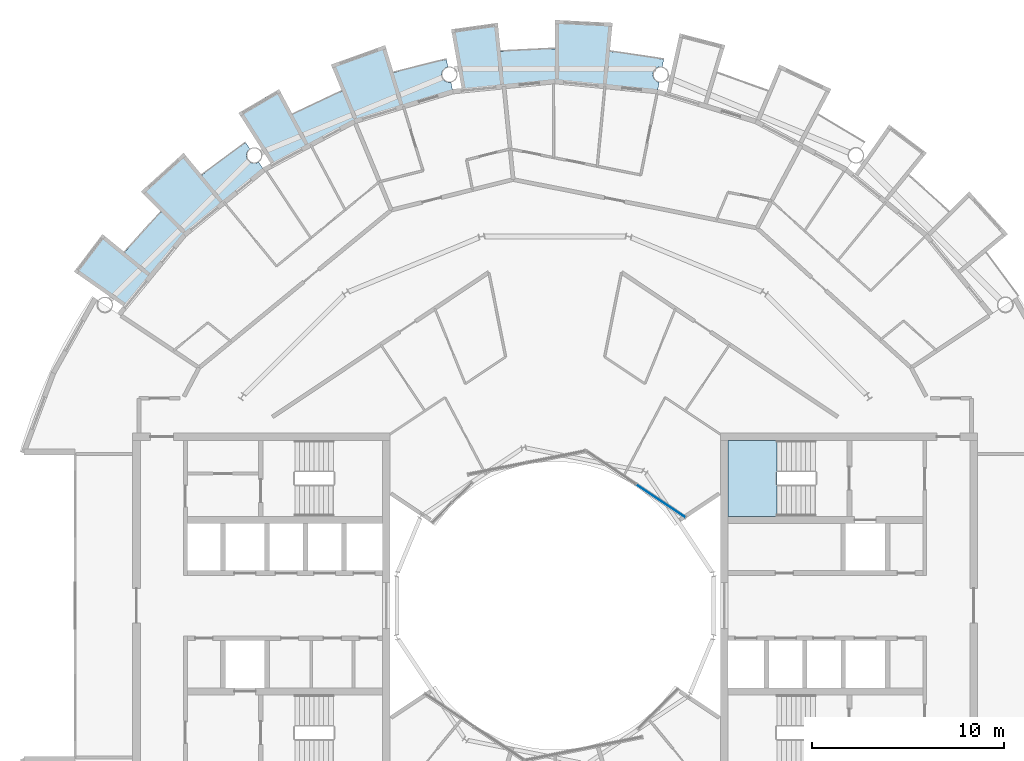
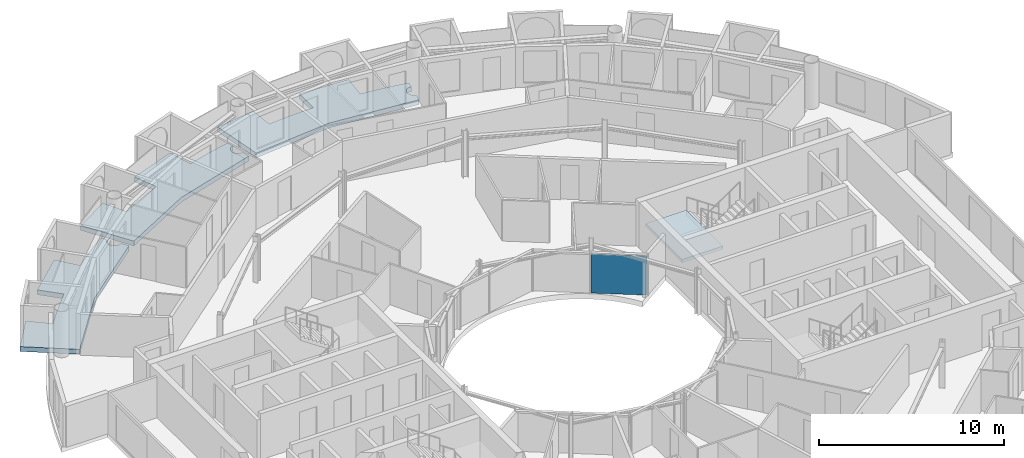
# One storey, part 13 of 28: 4 slabs, 1 plate, 2 elements without a shape of their own.
"""IFC4 building model written with IfcOpenShell, lengths in metres."""

from ifc_helpers import new_model, si_unit, direction, frame, origin, origin_2d, place, context, subcontext, project, spatial, polyline, rectangle, outline, extrude, material, layer, layer_set, type_object, element, aggregate, save


model = new_model("IFC4")

# Units and contexts
model_context = context("Model", 3, precision=1e-05, world=origin(), true_north=direction((0.0, 1.0)))
body_context = subcontext(model_context, "Body", "Model", "MODEL_VIEW")
ifc_project = project(units=[si_unit("LENGTHUNIT", "METRE"), si_unit("AREAUNIT", "SQUARE_METRE"), si_unit("VOLUMEUNIT", "CUBIC_METRE"), si_unit("PLANEANGLEUNIT", "RADIAN"), si_unit("MASSUNIT", "GRAM", prefix="KILO")], contexts=[model_context])

# Site, building, storey
site_placement = place(None, origin())
site = spatial("IfcSite", under=ifc_project, at=site_placement, CompositionType="ELEMENT")
building_placement = place(site_placement, origin())
building = spatial("IfcBuilding", under=site, at=building_placement, Name="Maasbend Ring Residences", CompositionType="ELEMENT")
storey_placement = place(building_placement, frame((0.0, 0.0, 227.949951171875)))
storey = spatial("IfcBuildingStorey", under=building, at=storey_placement, Name="L65", CompositionType="ELEMENT", Elevation=227.949951171875)

# Stair, slab
ifc_material_1 = material(Name="Concrete C40/50", Category="concrete")
stair_type = type_object("IfcStairType", Name="CORE STAIR 18 RISERS", PredefinedType="HALF_TURN_STAIR", material=ifc_material_1)
stair_placement = place(storey_placement, origin())
stair = element("IfcStair", 1, at=stair_placement, inside=storey, type_object=stair_type, Name="L65 Exit stair ST-E1", PredefinedType="HALF_TURN_STAIR")
ifc_material_2 = material(Name="Concrete C40/50", Category="concrete")
ifc_layer_1 = layer(ifc_material_2, 0.199951171875)
ifc_layer_set_1 = layer_set([ifc_layer_1], Name="Concrete C40/50")
slab_type_1 = type_object("IfcSlabType", Name="CORE STAIR LANDING 200", PredefinedType="LANDING", material=ifc_layer_set_1)
slab_1_placement = place(storey_placement, frame((0.0, 0.0, 1.324951171875)))
slab_1 = element("IfcSlab", 2, at=slab_1_placement, type_object=slab_type_1, Name="ST-E1 landing 1", PredefinedType="LANDING", context=body_context, shape_type="SweptSolid", body=[
    extrude(outline(polyline([(11.550048828125, 8.60009765625), (9.0, 8.60009765625), (9.0, 4.64990234375), (11.550048828125, 4.64990234375), (11.550048828125, 8.60009765625)])), origin(), (0.0, 0.0, 1.0), 0.2001953125),
])
aggregate(stair, [slab_1])

# Curtain wall, plate
ifc_material_3 = material(Name="Aluminium and clear glass", Category="aluminium")
ifc_layer_2 = layer(ifc_material_3, 0.179931640625)
ifc_layer_set_2 = layer_set([ifc_layer_2], Name="CW-W")
curtain_wall_type = type_object("IfcCurtainWallType", Name="CW-W", PredefinedType="NOTDEFINED", material=ifc_layer_set_2)
curtain_wall_placement = place(storey_placement, origin())
curtain_wall = element("IfcCurtainWall", 3, at=curtain_wall_placement, inside=storey, type_object=curtain_wall_type, Name="Well curtain wall N1", PredefinedType="NOTDEFINED")
ifc_material_4 = material(Name="Glass clear laminated", Category="glass")
ifc_layer_3 = layer(ifc_material_4, 0.031982421875)
ifc_layer_set_3 = layer_set([ifc_layer_3], Name="CWP-W")
plate_type = type_object("IfcPlateType", Name="CWP-W", PredefinedType="CURTAIN_PANEL", material=ifc_layer_set_3)
plate_placement = place(storey_placement, frame((5.51123046875, 5.44580078125, 0.0), z_axis=(0.0, 0.0, 1.0), x_axis=(-0.831469612303, 0.55557023302, 0.0)))
plate = element("IfcPlate", 4, at=plate_placement, type_object=plate_type, Name="Glass panel well face", PredefinedType="CURTAIN_PANEL", context=body_context, shape_type="SweptSolid", body=[
    extrude(rectangle(XDim=3.053955078125, YDim=0.031982421875, at=origin_2d()), origin(), (0.0, 0.0, 1.0), 2.580078125),
])
aggregate(curtain_wall, [plate])

# Slabs
ifc_material_5 = material(Name="Concrete C40/50", Category="concrete")
ifc_layer_4 = layer(ifc_material_5, 0.199951171875)
ifc_layer_set_4 = layer_set([ifc_layer_4], Name="Concrete C40/50")
slab_type_2 = type_object("IfcSlabType", Name="SL-LOGGIA", PredefinedType="FLOOR", material=ifc_layer_set_4)
slab_2_placement = place(storey_placement, frame((0.0, 0.0, -0.349853515625)))
element("IfcSlab", 5, at=slab_2_placement, inside=storey, type_object=slab_type_2, Name="Loggia floor 2", PredefinedType="FLOOR", context=body_context, shape_type="SweptSolid", body=[
    extrude(outline(polyline([(-13.6708984375, 25.575927734375), (-13.6708984375, 25.575927734375), (-13.6708984375, 25.575927734375), (-13.6708984375, 25.575927734375), (-13.6708984375, 25.575927734375), (-13.6708984375, 25.575927734375), (-13.6708984375, 25.575927734375), (-13.669921875, 25.575927734375), (-13.669921875, 25.575927734375), (-13.669921875, 25.575927734375), (-13.669921875, 25.575927734375), (-13.669921875, 25.575927734375), (-13.669921875, 25.575927734375), (-13.669921875, 25.575927734375), (-13.669921875, 25.575927734375), (-13.669921875, 25.575927734375), (-13.669921875, 25.575927734375), (-12.825927734375, 26.009033203125), (-12.825927734375, 26.009033203125), (-11.968994140625, 26.4150390625), (-11.968994140625, 26.4150390625), (-11.097900390625, 26.7919921875), (-11.097900390625, 26.7919921875), (-11.097900390625, 26.7919921875), (-11.097900390625, 26.7919921875), (-11.097900390625, 26.7919921875), (-11.097900390625, 26.7919921875), (-11.097900390625, 26.7919921875), (-11.097900390625, 26.79296875), (-11.097900390625, 26.79296875), (-11.097900390625, 26.79296875), (-11.097900390625, 26.79296875), (-11.097900390625, 26.79296875), (-11.097900390625, 26.79296875), (-11.097900390625, 26.79296875), (-11.097900390625, 26.79296875), (-11.097900390625, 26.79296875), (-11.097900390625, 26.79296875), (-11.672119140625, 28.177978515625), (-11.672119140625, 28.177978515625), (-11.672119140625, 28.177978515625), (-8.85400390625, 29.18701171875), (-8.85400390625, 29.18701171875), (-8.85400390625, 29.18701171875), (-8.41796875, 27.751953125), (-8.41796875, 27.751953125), (-8.41796875, 27.751953125), (-8.41796875, 27.751953125), (-8.41796875, 27.751953125), (-8.41796875, 27.751953125), (-8.41796875, 27.751953125), (-8.41796875, 27.7509765625), (-8.41796875, 27.7509765625), (-8.41796875, 27.7509765625), (-8.41796875, 27.7509765625), (-8.41796875, 27.7509765625), (-8.41796875, 27.7509765625), (-8.41796875, 27.7509765625), (-8.41796875, 27.7509765625), (-8.41796875, 27.7509765625), (-8.41796875, 27.7509765625), (-7.506103515625, 28.011962890625), (-7.506103515625, 28.011962890625), (-6.5849609375, 28.241943359375), (-6.5849609375, 28.241943359375), (-5.657958984375, 28.443115234375), (-5.657958984375, 28.443115234375), (-5.657958984375, 28.443115234375), (-5.5810546875, 28.056884765625), (-5.591064453125, 28.054931640625), (-5.60009765625, 28.052001953125), (-5.610107421875, 28.050048828125), (-5.6201171875, 28.047119140625), (-5.62890625, 28.0439453125), (-5.637939453125, 28.041015625), (-5.64794921875, 28.037109375), (-5.656982421875, 28.033935546875), (-5.666015625, 28.030029296875), (-5.675048828125, 28.02587890625), (-5.68408203125, 28.02099609375), (-5.693115234375, 28.01708984375), (-5.701904296875, 28.011962890625), (-5.7099609375, 28.007080078125), (-5.718994140625, 28.001953125), (-5.72705078125, 27.99609375), (-5.736083984375, 27.989990234375), (-5.743896484375, 27.985107421875), (-5.751953125, 27.97900390625), (-5.759033203125, 27.971923828125), (-5.76708984375, 27.966064453125), (-5.77392578125, 27.958984375), (-5.781982421875, 27.952880859375), (-5.7890625, 27.946044921875), (-5.7958984375, 27.93798828125), (-5.802978515625, 27.930908203125), (-5.80908203125, 27.924072265625), (-5.81591796875, 27.916015625), (-5.822021484375, 27.907958984375), (-5.827880859375, 27.89990234375), (-5.833984375, 27.89208984375), (-5.839111328125, 27.884033203125), (-5.844970703125, 27.8759765625), (-5.85009765625, 27.866943359375), (-5.85498046875, 27.85791015625), (-5.860107421875, 27.85009765625), (-5.864990234375, 27.841064453125), (-5.868896484375, 27.83203125), (-5.873046875, 27.822998046875), (-5.876953125, 27.81396484375), (-5.881103515625, 27.803955078125), (-5.884033203125, 27.794921875), (-5.886962890625, 27.785888671875), (-5.889892578125, 27.77587890625), (-5.89306640625, 27.76708984375), (-5.89599609375, 27.757080078125), (-5.89794921875, 27.7470703125), (-5.89990234375, 27.737060546875), (-5.902099609375, 27.72802734375), (-5.904052734375, 27.718017578125), (-5.905029296875, 27.7080078125), (-5.906005859375, 27.697998046875), (-5.906982421875, 27.68798828125), (-5.907958984375, 27.677978515625), (-5.907958984375, 27.66796875), (-5.907958984375, 27.657958984375), (-5.907958984375, 27.64794921875), (-5.907958984375, 27.637939453125), (-5.906982421875, 27.6279296875), (-5.906005859375, 27.617919921875), (-5.905029296875, 27.60791015625), (-5.904052734375, 27.597900390625), (-5.902099609375, 27.589111328125), (-5.89990234375, 27.5791015625), (-5.89794921875, 27.569091796875), (-5.89599609375, 27.55908203125), (-5.89306640625, 27.550048828125), (-5.889892578125, 27.5400390625), (-5.886962890625, 27.531005859375), (-5.884033203125, 27.52099609375), (-5.881103515625, 27.511962890625), (-5.876953125, 27.5029296875), (-5.873046875, 27.492919921875), (-5.868896484375, 27.48388671875), (-5.864990234375, 27.47509765625), (-5.860107421875, 27.466064453125), (-5.85498046875, 27.4580078125), (-5.85009765625, 27.448974609375), (-5.844970703125, 27.44091796875), (-5.839111328125, 27.431884765625), (-5.833984375, 27.424072265625), (-5.827880859375, 27.416015625), (-5.822021484375, 27.407958984375), (-5.81591796875, 27.39990234375), (-5.80908203125, 27.39306640625), (-5.802978515625, 27.385009765625), (-5.7958984375, 27.3779296875), (-5.7890625, 27.37109375), (-5.781982421875, 27.364013671875), (-5.77392578125, 27.35693359375), (-5.76708984375, 27.35009765625), (-5.759033203125, 27.343994140625), (-5.751953125, 27.337890625), (-5.743896484375, 27.33203125), (-5.736083984375, 27.325927734375), (-5.72705078125, 27.320068359375), (-5.718994140625, 27.31494140625), (-5.7099609375, 27.30908203125), (-5.701904296875, 27.303955078125), (-5.693115234375, 27.300048828125), (-5.68408203125, 27.294921875), (-5.675048828125, 27.291015625), (-5.666015625, 27.285888671875), (-5.656982421875, 27.282958984375), (-5.64794921875, 27.279052734375), (-5.637939453125, 27.27490234375), (-5.62890625, 27.27197265625), (-5.6201171875, 27.26904296875), (-5.610107421875, 27.26611328125), (-5.60009765625, 27.263916015625), (-5.591064453125, 27.260986328125), (-5.5810546875, 27.259033203125), (-5.571044921875, 27.258056640625), (-5.56103515625, 27.256103515625), (-5.551025390625, 27.2548828125), (-5.541015625, 27.25390625), (-5.531005859375, 27.2529296875), (-5.52099609375, 27.251953125), (-5.510986328125, 27.251953125), (-5.501953125, 27.251953125), (-5.491943359375, 27.251953125), (-5.48193359375, 27.251953125), (-5.471923828125, 27.2529296875), (-5.4619140625, 27.25390625), (-5.451904296875, 27.2548828125), (-5.44189453125, 27.256103515625), (-5.431884765625, 27.258056640625), (-5.422119140625, 27.259033203125), (-5.325927734375, 26.77490234375), (-5.325927734375, 26.77490234375), (-5.325927734375, 26.77490234375), (-7.886962890625, 25.9990234375), (-10.447021484375, 25.221923828125), (-10.447021484375, 25.221923828125), (-10.447021484375, 25.221923828125), (-12.806884765625, 23.9609375), (-14.73291015625, 22.930908203125), (-14.73291015625, 22.930908203125), (-14.73291015625, 22.930908203125), (-16.487060546875, 25.659912109375), (-16.487060546875, 25.659912109375), (-16.487060546875, 25.659912109375), (-14.3779296875, 26.89892578125), (-14.3779296875, 26.89892578125), (-14.3779296875, 26.89892578125), (-13.6708984375, 25.575927734375)])), origin(), (0.0, 0.0, 1.0), 0.31982421875),
])
slab_3_placement = place(storey_placement, frame((0.0, 0.0, -0.349853515625)))
element("IfcSlab", 6, at=slab_3_placement, inside=storey, type_object=slab_type_2, Name="Loggia floor 3", PredefinedType="FLOOR", context=body_context, shape_type="SweptSolid", body=[
    extrude(outline(polyline([(-2.843017578125, 28.861083984375), (-2.843017578125, 28.861083984375), (-2.843017578125, 28.861083984375), (-2.843017578125, 28.861083984375), (-2.842041015625, 28.861083984375), (-2.842041015625, 28.861083984375), (-2.842041015625, 28.861083984375), (-2.842041015625, 28.861083984375), (-2.842041015625, 28.861083984375), (-2.842041015625, 28.860107421875), (-2.842041015625, 28.860107421875), (-2.842041015625, 28.860107421875), (-2.842041015625, 28.860107421875), (-2.842041015625, 28.860107421875), (-2.842041015625, 28.860107421875), (-2.842041015625, 28.860107421875), (-2.842041015625, 28.860107421875), (-1.89697265625, 28.93798828125), (-1.89697265625, 28.93798828125), (-0.948974609375, 28.98388671875), (-0.948974609375, 28.98388671875), (0.0, 29.0), (0.0, 29.0), (0.0, 29.0), (0.0, 29.0), (0.0, 29.0), (0.0, 29.0), (0.0, 29.0), (0.0, 29.0), (0.0, 29.0), (0.0, 29.0), (0.0, 29.0), (0.0, 29.0), (0.0, 29.0), (0.0, 29.0), (0.0, 29.0), (0.0, 29.0), (0.0, 29.0), (0.0, 30.5), (0.0, 30.5), (0.0, 30.5), (2.989990234375, 30.35302734375), (2.989990234375, 30.35302734375), (2.989990234375, 30.35302734375), (2.843017578125, 28.861083984375), (2.843017578125, 28.861083984375), (2.843017578125, 28.861083984375), (2.843017578125, 28.861083984375), (2.843017578125, 28.861083984375), (2.843017578125, 28.861083984375), (2.843017578125, 28.861083984375), (2.843017578125, 28.861083984375), (2.843017578125, 28.860107421875), (2.843017578125, 28.860107421875), (2.843017578125, 28.860107421875), (2.843017578125, 28.860107421875), (2.843017578125, 28.860107421875), (2.843017578125, 28.860107421875), (2.843017578125, 28.860107421875), (2.843017578125, 28.860107421875), (2.843017578125, 28.860107421875), (3.784912109375, 28.751953125), (3.784912109375, 28.751953125), (4.72412109375, 28.613037109375), (4.72412109375, 28.613037109375), (5.657958984375, 28.443115234375), (5.657958984375, 28.443115234375), (5.657958984375, 28.443115234375), (5.5810546875, 28.056884765625), (5.5810546875, 28.056884765625), (5.571044921875, 28.05908203125), (5.56103515625, 28.06005859375), (5.551025390625, 28.06201171875), (5.541015625, 28.06298828125), (5.531005859375, 28.06298828125), (5.52099609375, 28.06396484375), (5.510986328125, 28.06396484375), (5.501953125, 28.06494140625), (5.491943359375, 28.06396484375), (5.48193359375, 28.06396484375), (5.471923828125, 28.06298828125), (5.4619140625, 28.06298828125), (5.451904296875, 28.06201171875), (5.44189453125, 28.06005859375), (5.431884765625, 28.05908203125), (5.422119140625, 28.056884765625), (5.412109375, 28.054931640625), (5.403076171875, 28.052001953125), (5.39306640625, 28.050048828125), (5.383056640625, 28.047119140625), (5.3740234375, 28.0439453125), (5.364990234375, 28.041015625), (5.35498046875, 28.037109375), (5.345947265625, 28.033935546875), (5.3369140625, 28.030029296875), (5.327880859375, 28.02587890625), (5.319091796875, 28.02099609375), (5.31005859375, 28.01708984375), (5.301025390625, 28.011962890625), (5.29296875, 28.007080078125), (5.283935546875, 28.001953125), (5.27587890625, 27.99609375), (5.26708984375, 27.989990234375), (5.259033203125, 27.985107421875), (5.2509765625, 27.97900390625), (5.243896484375, 27.971923828125), (5.236083984375, 27.966064453125), (5.22900390625, 27.958984375), (5.220947265625, 27.952880859375), (5.214111328125, 27.946044921875), (5.20703125, 27.93798828125), (5.199951171875, 27.930908203125), (5.194091796875, 27.924072265625), (5.18701171875, 27.916015625), (5.180908203125, 27.907958984375), (5.175048828125, 27.89990234375), (5.1689453125, 27.89208984375), (5.1640625, 27.884033203125), (5.157958984375, 27.8759765625), (5.153076171875, 27.866943359375), (5.14794921875, 27.85791015625), (5.14306640625, 27.85009765625), (5.137939453125, 27.841064453125), (5.134033203125, 27.83203125), (5.1298828125, 27.822998046875), (5.1259765625, 27.81396484375), (5.1220703125, 27.803955078125), (5.118896484375, 27.794921875), (5.115966796875, 27.785888671875), (5.113037109375, 27.77587890625), (5.110107421875, 27.76708984375), (5.10693359375, 27.757080078125), (5.10498046875, 27.7470703125), (5.10302734375, 27.737060546875), (5.10107421875, 27.72802734375), (5.09912109375, 27.718017578125), (5.097900390625, 27.7080078125), (5.096923828125, 27.697998046875), (5.095947265625, 27.68798828125), (5.094970703125, 27.677978515625), (5.094970703125, 27.66796875), (5.094970703125, 27.657958984375), (5.094970703125, 27.64794921875), (5.094970703125, 27.637939453125), (5.095947265625, 27.6279296875), (5.096923828125, 27.617919921875), (5.097900390625, 27.60791015625), (5.09912109375, 27.597900390625), (5.10107421875, 27.589111328125), (5.10302734375, 27.5791015625), (5.10498046875, 27.569091796875), (5.10693359375, 27.55908203125), (5.110107421875, 27.550048828125), (5.113037109375, 27.5400390625), (5.115966796875, 27.531005859375), (5.118896484375, 27.52099609375), (5.1220703125, 27.511962890625), (5.1259765625, 27.5029296875), (5.1298828125, 27.492919921875), (5.134033203125, 27.48388671875), (5.137939453125, 27.47509765625), (5.14306640625, 27.466064453125), (5.14794921875, 27.4580078125), (5.153076171875, 27.448974609375), (5.157958984375, 27.44091796875), (5.1640625, 27.431884765625), (5.1689453125, 27.424072265625), (5.175048828125, 27.416015625), (5.180908203125, 27.407958984375), (5.18701171875, 27.39990234375), (5.194091796875, 27.39306640625), (5.199951171875, 27.385009765625), (5.20703125, 27.3779296875), (5.214111328125, 27.37109375), (5.220947265625, 27.364013671875), (5.22900390625, 27.35693359375), (5.236083984375, 27.35009765625), (5.243896484375, 27.343994140625), (5.2509765625, 27.337890625), (5.259033203125, 27.33203125), (5.26708984375, 27.325927734375), (5.27587890625, 27.320068359375), (5.283935546875, 27.31494140625), (5.29296875, 27.30908203125), (5.301025390625, 27.303955078125), (5.31005859375, 27.300048828125), (5.319091796875, 27.294921875), (5.327880859375, 27.291015625), (5.3369140625, 27.285888671875), (5.345947265625, 27.282958984375), (5.35498046875, 27.279052734375), (5.364990234375, 27.27490234375), (5.3740234375, 27.27197265625), (5.383056640625, 27.26904296875), (5.39306640625, 27.26611328125), (5.403076171875, 27.263916015625), (5.412109375, 27.260986328125), (5.422119140625, 27.259033203125), (5.422119140625, 27.259033203125), (5.325927734375, 26.77490234375), (5.325927734375, 26.77490234375), (5.325927734375, 26.77490234375), (2.6630859375, 27.0380859375), (0.0, 27.300048828125), (0.0, 27.300048828125), (0.0, 27.300048828125), (-2.6630859375, 27.0380859375), (-4.8359375, 26.823974609375), (-4.8359375, 26.823974609375), (-4.8359375, 26.823974609375), (-5.412109375, 30.01611328125), (-5.412109375, 30.01611328125), (-5.412109375, 30.01611328125), (-2.989990234375, 30.35302734375), (-2.989990234375, 30.35302734375), (-2.989990234375, 30.35302734375), (-2.843017578125, 28.861083984375)])), origin(), (0.0, 0.0, 1.0), 0.31982421875),
])
slab_4_placement = place(storey_placement, frame((0.0, 0.0, -0.349853515625)))
element("IfcSlab", 7, at=slab_4_placement, inside=storey, type_object=slab_type_2, Name="Loggia floor 5", PredefinedType="FLOOR", context=body_context, shape_type="SweptSolid", body=[
    extrude(outline(polyline([(-22.41796875, 18.39794921875), (-22.41796875, 18.39794921875), (-22.41796875, 18.39794921875), (-22.41796875, 18.39794921875), (-22.41796875, 18.39794921875), (-22.4169921875, 18.39794921875), (-22.4169921875, 18.39794921875), (-22.4169921875, 18.39794921875), (-22.4169921875, 18.39794921875), (-22.4169921875, 18.39794921875), (-22.4169921875, 18.39794921875), (-22.4169921875, 18.39794921875), (-22.4169921875, 18.39794921875), (-22.4169921875, 18.39794921875), (-22.4169921875, 18.39794921875), (-22.4169921875, 18.39794921875), (-22.4169921875, 18.39794921875), (-21.802978515625, 19.12109375), (-21.802978515625, 19.12109375), (-21.166015625, 19.823974609375), (-21.166015625, 19.823974609375), (-20.506103515625, 20.506103515625), (-20.506103515625, 20.506103515625), (-20.506103515625, 20.506103515625), (-20.506103515625, 20.506103515625), (-20.506103515625, 20.506103515625), (-20.506103515625, 20.506103515625), (-20.506103515625, 20.506103515625), (-20.506103515625, 20.506103515625), (-20.506103515625, 20.506103515625), (-20.506103515625, 20.506103515625), (-20.506103515625, 20.506103515625), (-20.506103515625, 20.506103515625), (-20.506103515625, 20.506103515625), (-20.506103515625, 20.506103515625), (-20.506103515625, 20.506103515625), (-20.506103515625, 20.506103515625), (-20.506103515625, 20.506103515625), (-21.56689453125, 21.56689453125), (-21.56689453125, 21.56689453125), (-21.56689453125, 21.56689453125), (-19.34912109375, 23.576904296875), (-19.34912109375, 23.576904296875), (-19.34912109375, 23.576904296875), (-18.39794921875, 22.41796875), (-18.39794921875, 22.41796875), (-18.39794921875, 22.41796875), (-18.39794921875, 22.41796875), (-18.39794921875, 22.41796875), (-18.39794921875, 22.41796875), (-18.39697265625, 22.41796875), (-18.39697265625, 22.41796875), (-18.39697265625, 22.41796875), (-18.39697265625, 22.41796875), (-18.39697265625, 22.41796875), (-18.39697265625, 22.41796875), (-18.39697265625, 22.41796875), (-18.39697265625, 22.41796875), (-18.39697265625, 22.41796875), (-18.39697265625, 22.41796875), (-18.39697265625, 22.41796875), (-17.654052734375, 23.007080078125), (-17.654052734375, 23.007080078125), (-16.89208984375, 23.572998046875), (-16.89208984375, 23.572998046875), (-16.112060546875, 24.113037109375), (-16.112060546875, 24.113037109375), (-16.112060546875, 24.113037109375), (-15.89306640625, 23.784912109375), (-15.89306640625, 23.784912109375), (-15.90087890625, 23.780029296875), (-15.908935546875, 23.77392578125), (-15.9169921875, 23.76806640625), (-15.925048828125, 23.761962890625), (-15.93310546875, 23.7548828125), (-15.93994140625, 23.7490234375), (-15.947021484375, 23.741943359375), (-15.955078125, 23.735107421875), (-15.9619140625, 23.72802734375), (-15.968017578125, 23.719970703125), (-15.97509765625, 23.712890625), (-15.98095703125, 23.705078125), (-15.988037109375, 23.697021484375), (-15.993896484375, 23.68994140625), (-15.9990234375, 23.680908203125), (-16.0048828125, 23.673095703125), (-16.010986328125, 23.6650390625), (-16.01611328125, 23.656005859375), (-16.02099609375, 23.64794921875), (-16.02587890625, 23.638916015625), (-16.030029296875, 23.6298828125), (-16.034912109375, 23.62109375), (-16.0390625, 23.612060546875), (-16.04296875, 23.60302734375), (-16.0458984375, 23.593994140625), (-16.050048828125, 23.583984375), (-16.052978515625, 23.574951171875), (-16.055908203125, 23.56494140625), (-16.05908203125, 23.555908203125), (-16.06103515625, 23.5458984375), (-16.06396484375, 23.535888671875), (-16.06591796875, 23.527099609375), (-16.068115234375, 23.51708984375), (-16.069091796875, 23.507080078125), (-16.071044921875, 23.4970703125), (-16.072021484375, 23.487060546875), (-16.072021484375, 23.47705078125), (-16.072998046875, 23.467041015625), (-16.072998046875, 23.45703125), (-16.073974609375, 23.447021484375), (-16.072998046875, 23.43701171875), (-16.072998046875, 23.427001953125), (-16.072021484375, 23.4169921875), (-16.072021484375, 23.407958984375), (-16.071044921875, 23.39794921875), (-16.069091796875, 23.387939453125), (-16.068115234375, 23.3779296875), (-16.06591796875, 23.367919921875), (-16.06396484375, 23.35791015625), (-16.06103515625, 23.34912109375), (-16.05908203125, 23.339111328125), (-16.055908203125, 23.3291015625), (-16.052978515625, 23.320068359375), (-16.050048828125, 23.31005859375), (-16.0458984375, 23.301025390625), (-16.04296875, 23.2919921875), (-16.0390625, 23.282958984375), (-16.034912109375, 23.27392578125), (-16.030029296875, 23.264892578125), (-16.02587890625, 23.256103515625), (-16.02099609375, 23.2470703125), (-16.01611328125, 23.238037109375), (-16.010986328125, 23.22998046875), (-16.0048828125, 23.221923828125), (-15.9990234375, 23.212890625), (-15.993896484375, 23.205078125), (-15.988037109375, 23.197021484375), (-15.98095703125, 23.18994140625), (-15.97509765625, 23.181884765625), (-15.968017578125, 23.174072265625), (-15.9619140625, 23.1669921875), (-15.955078125, 23.159912109375), (-15.947021484375, 23.153076171875), (-15.93994140625, 23.14599609375), (-15.93310546875, 23.139892578125), (-15.925048828125, 23.133056640625), (-15.9169921875, 23.126953125), (-15.908935546875, 23.12109375), (-15.90087890625, 23.114990234375), (-15.89306640625, 23.10888671875), (-15.885009765625, 23.10400390625), (-15.8759765625, 23.09912109375), (-15.866943359375, 23.093994140625), (-15.85888671875, 23.089111328125), (-15.85009765625, 23.083984375), (-15.841064453125, 23.080078125), (-15.83203125, 23.075927734375), (-15.822998046875, 23.072021484375), (-15.81298828125, 23.068115234375), (-15.803955078125, 23.06494140625), (-15.794921875, 23.06103515625), (-15.784912109375, 23.05810546875), (-15.77587890625, 23.055908203125), (-15.76611328125, 23.052978515625), (-15.756103515625, 23.051025390625), (-15.74609375, 23.049072265625), (-15.737060546875, 23.047119140625), (-15.72705078125, 23.044921875), (-15.717041015625, 23.0439453125), (-15.70703125, 23.04296875), (-15.697021484375, 23.0419921875), (-15.68701171875, 23.041015625), (-15.677001953125, 23.041015625), (-15.6669921875, 23.041015625), (-15.656982421875, 23.041015625), (-15.64697265625, 23.041015625), (-15.636962890625, 23.0419921875), (-15.626953125, 23.04296875), (-15.616943359375, 23.0439453125), (-15.60693359375, 23.044921875), (-15.597900390625, 23.047119140625), (-15.587890625, 23.049072265625), (-15.577880859375, 23.051025390625), (-15.568115234375, 23.052978515625), (-15.55908203125, 23.055908203125), (-15.549072265625, 23.05810546875), (-15.5400390625, 23.06103515625), (-15.530029296875, 23.06494140625), (-15.52099609375, 23.068115234375), (-15.511962890625, 23.072021484375), (-15.501953125, 23.075927734375), (-15.492919921875, 23.080078125), (-15.48388671875, 23.083984375), (-15.47509765625, 23.089111328125), (-15.467041015625, 23.093994140625), (-15.4580078125, 23.09912109375), (-15.449951171875, 23.10400390625), (-15.44091796875, 23.10888671875), (-15.44091796875, 23.10888671875), (-15.1669921875, 22.698974609375), (-15.1669921875, 22.698974609375), (-15.1669921875, 22.698974609375), (-17.236083984375, 21.001953125), (-19.303955078125, 19.303955078125), (-19.303955078125, 19.303955078125), (-19.303955078125, 19.303955078125), (-21.001953125, 17.236083984375), (-22.386962890625, 15.547119140625), (-22.386962890625, 15.547119140625), (-22.386962890625, 15.547119140625), (-25.051025390625, 17.39794921875), (-25.051025390625, 17.39794921875), (-25.051025390625, 17.39794921875), (-23.576904296875, 19.34912109375), (-23.576904296875, 19.34912109375), (-23.576904296875, 19.34912109375), (-22.41796875, 18.39794921875)])), origin(), (0.0, 0.0, 1.0), 0.31982421875),
])

save(model, "model.ifc")
